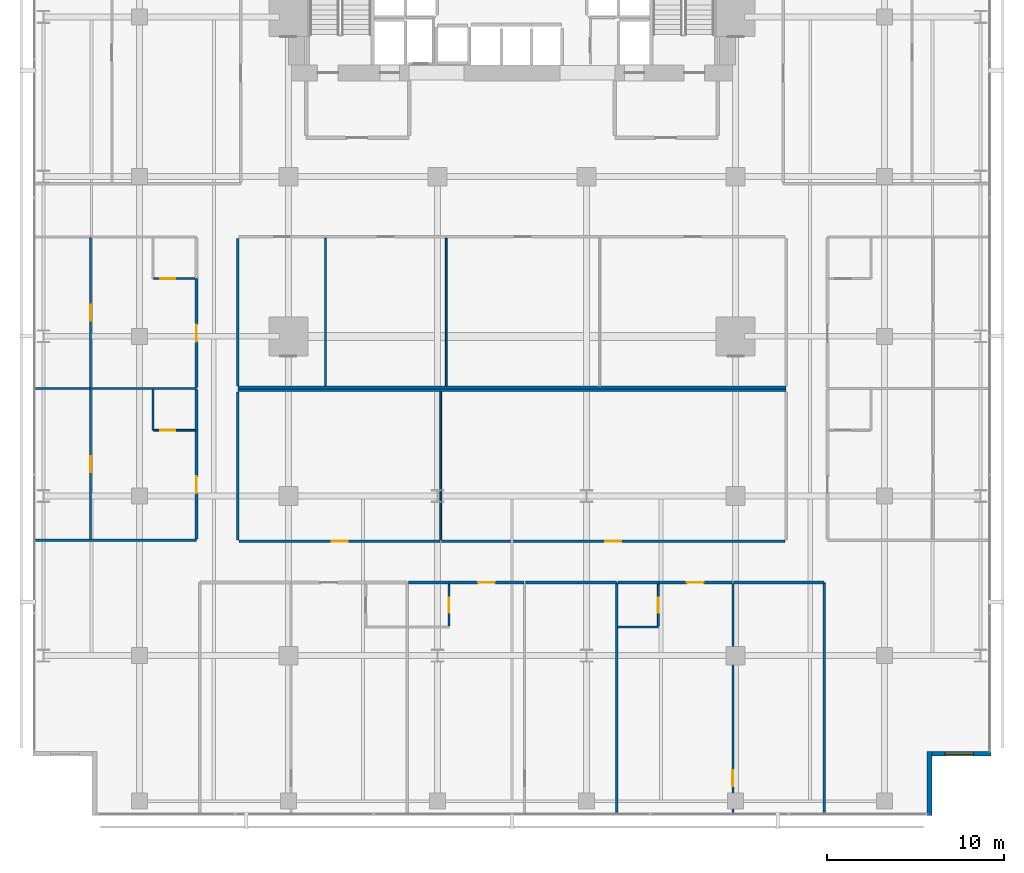
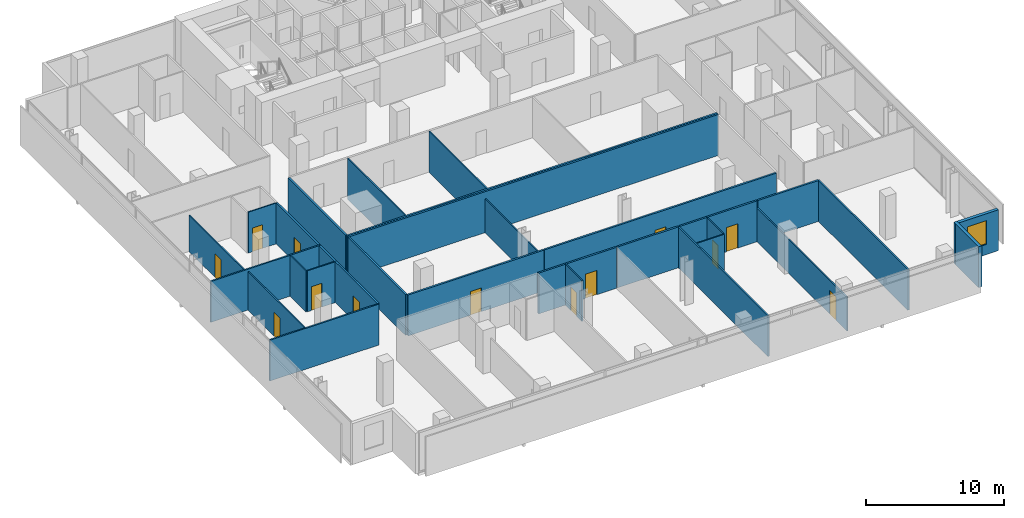
# One storey, part 33 of 39: 33 walls, 13 doors, 1 window, 14 openings.
"""IFC4 building model written with IfcOpenShell, lengths in metres."""

from ifc_helpers import new_model, si_unit, direction, frame, frame_2d, origin, place, context, subcontext, project, spatial, rectangle, extrude, material, layer, layer_set, type_object, element, fill, save


model = new_model("IFC4")

# Units and contexts
model_context = context("Model", 3, precision=1e-05, world=origin(), true_north=direction((0.0, 1.0)))
body_context = subcontext(model_context, "Body", "Model", "MODEL_VIEW")
ifc_project = project(units=[si_unit("LENGTHUNIT", "METRE"), si_unit("AREAUNIT", "SQUARE_METRE"), si_unit("VOLUMEUNIT", "CUBIC_METRE"), si_unit("PLANEANGLEUNIT", "RADIAN"), si_unit("MASSUNIT", "GRAM", prefix="KILO")], contexts=[model_context])

# Site, building, storey
site_placement = place(None, origin())
site = spatial("IfcSite", under=ifc_project, at=site_placement, CompositionType="ELEMENT")
building_placement = place(site_placement, origin())
building = spatial("IfcBuilding", under=site, at=building_placement, Name="Maruvema Waterfront Hotel and Observation Tower", CompositionType="ELEMENT")
storey_placement = place(building_placement, frame((0.0, 0.0, 69.300048828125)))
storey = spatial("IfcBuildingStorey", under=building, at=storey_placement, Name="L16", CompositionType="ELEMENT", Elevation=69.300048828125)

# Walls
ifc_material_1 = material(Name="Twin-stud acoustic gypsum drywall", Category="gypsum")
ifc_layer_1 = layer(ifc_material_1, 0.14990234375, Name="Acoustic Corridor and Suite Demising Wall 150 mm")
ifc_layer_set_1 = layer_set([ifc_layer_1], Name="Twin-stud acoustic gypsum drywall")
wall_type_1 = type_object("IfcWallType", Name="Acoustic Corridor and Suite Demising Wall 150 mm", PredefinedType="PARTITIONING", material=ifc_layer_set_1)
wall_1_placement = place(storey_placement, frame((22.35009765625, 24.110107421875, 0.0), z_axis=(0.0, 0.0, 1.0), x_axis=(1.0, 0.0, 0.0)))
element("IfcWall", 1, at=wall_1_placement, inside=storey, type_object=wall_type_1, Name="L16 L16-INTN Back Wall 012", PredefinedType="PARTITIONING", context=body_context, shape_type="SweptSolid", body=[
    extrude(rectangle(XDim=30.89990234375, YDim=0.14990234375, at=frame_2d((15.449951171875, 0.0))), origin(), (0.0, 0.0, 1.0), 3.60986328125),
])
wall_2_placement = place(storey_placement, frame((22.35009765625, 24.18994140625, 0.0), z_axis=(0.0, 0.0, 1.0), x_axis=(0.0, 1.0, 0.0)))
element("IfcWall", 2, at=wall_2_placement, inside=storey, type_object=wall_type_1, Name="L16 L16-INTN West Wall 013", PredefinedType="PARTITIONING", context=body_context, shape_type="SweptSolid", body=[
    extrude(rectangle(XDim=8.330078125, YDim=0.14990234375, at=frame_2d((4.1650390625, 0.0))), origin(), (0.0, 0.0, 1.0), 3.60986328125),
])
wall_3_placement = place(storey_placement, frame((22.35009765625, 23.949951171875, 0.0), z_axis=(0.0, 0.0, 1.0), x_axis=(1.0, 0.0, 0.0)))
element("IfcWall", 3, at=wall_3_placement, inside=storey, type_object=wall_type_1, Name="L16 L16-INTS Back Wall 022", PredefinedType="PARTITIONING", context=body_context, shape_type="SweptSolid", body=[
    extrude(rectangle(XDim=30.89990234375, YDim=0.14990234375, at=frame_2d((15.449951171875, 0.0))), origin(), (0.0, 0.0, 1.0), 3.60986328125),
])
wall_4_placement = place(storey_placement, frame((22.35009765625, 15.530029296875, 0.0), z_axis=(0.0, 0.0, 1.0), x_axis=(0.0, 1.0, 0.0)))
element("IfcWall", 4, at=wall_4_placement, inside=storey, type_object=wall_type_1, Name="L16 L16-INTS West Wall 023", PredefinedType="PARTITIONING", context=body_context, shape_type="SweptSolid", body=[
    extrude(rectangle(XDim=8.340087890625, YDim=0.14990234375, at=frame_2d((4.169921875, 0.0))), origin(), (0.0, 0.0, 1.0), 3.60986328125),
])

# Wall, opening, door
wall_5_placement = place(storey_placement, frame((22.409912109375, 15.449951171875, 0.0), z_axis=(0.0, 0.0, 1.0), x_axis=(1.0, 0.0, 0.0)))
wall_5 = element("IfcWall", 5, at=wall_5_placement, inside=storey, type_object=wall_type_1, Name="L16 L16-INTS Front 1 025", PredefinedType="PARTITIONING", context=body_context, shape_type="SweptSolid", body=[
    extrude(rectangle(XDim=11.343017578125, YDim=0.14990234375, at=frame_2d((5.67138671875, 0.0))), origin(), (0.0, 0.0, 1.0), 3.60986328125),
])
opening_1_placement = place(wall_5_placement, frame((5.221435546875, 0.0, 0.0)))
opening_1 = element("IfcOpeningElement", 6, at=opening_1_placement, cuts=wall_5, Name="Opening DR-090", PredefinedType="OPENING", context=body_context, shape_type="SweptSolid", body=[
    extrude(rectangle(XDim=0.89990234375, YDim=2.10009765625, at=frame_2d((0.449951171875, 1.050048828125))), frame((0.0, 0.0849609375, 0.0), z_axis=(0.0, -1.0, 0.0), x_axis=(1.0, 0.0, 0.0)), (0.0, 0.0, 1.0), 0.169921875),
])
ifc_material_2 = material(Name="Solid-core lacquered timber leaf", Category="wood")
door_type_1 = type_object("IfcDoorType", Name="Accessible Toilet and Room Door 900x2100 mm", OperationType="NOTDEFINED", PredefinedType="DOOR", material=ifc_material_2)
door_1_placement = place(opening_1_placement, frame((0.89990234375, 0.0, 0.0), z_axis=(0.0, 0.0, 1.0), x_axis=(-1.0, 0.0, 0.0)))
door_1 = element("IfcDoor", 7, at=door_1_placement, inside=storey, type_object=door_type_1, Name="L16 Diplomatic Salon Door", OperationType="SINGLE_SWING_LEFT", OverallHeight=2.10009765625, OverallWidth=0.89990234375, PredefinedType="DOOR", context=body_context, shape_type="SweptSolid", body=[
    extrude(rectangle(XDim=0.89990234375, YDim=2.10009765625, at=frame_2d((0.449951171875, 1.050048828125))), frame((0.0, 0.02490234375, 0.0), z_axis=(0.0, -1.0, 0.0), x_axis=(1.0, 0.0, 0.0)), (0.0, 0.0, 1.0), 0.050048828125),
])
fill(opening_1, door_1)

wall_6_placement = place(storey_placement, frame((33.81298828125, 15.449951171875, 0.0), z_axis=(0.0, 0.0, 1.0), x_axis=(1.0, 0.0, 0.0)))
wall_6 = element("IfcWall", 8, at=wall_6_placement, inside=storey, type_object=wall_type_1, Name="L16 L16-INTS Front 2 027", PredefinedType="PARTITIONING", context=body_context, shape_type="SweptSolid", body=[
    extrude(rectangle(XDim=19.376953125, YDim=0.14990234375, at=frame_2d((9.6884765625, 0.0))), origin(), (0.0, 0.0, 1.0), 3.60986328125),
])
opening_2_placement = place(wall_6_placement, frame((9.238525390625, 0.0, 0.0)))
opening_2 = element("IfcOpeningElement", 9, at=opening_2_placement, cuts=wall_6, Name="Opening DR-090", PredefinedType="OPENING", context=body_context, shape_type="SweptSolid", body=[
    extrude(rectangle(XDim=0.89990234375, YDim=2.10009765625, at=frame_2d((0.449951171875, 1.050048828125))), frame((0.0, 0.0849609375, 0.0), z_axis=(0.0, -1.0, 0.0), x_axis=(1.0, 0.0, 0.0)), (0.0, 0.0, 1.0), 0.169921875),
])
door_2_placement = place(opening_2_placement, frame((0.89990234375, 0.0, 0.0), z_axis=(0.0, 0.0, 1.0), x_axis=(-1.0, 0.0, 0.0)))
door_2 = element("IfcDoor", 10, at=door_2_placement, inside=storey, type_object=door_type_1, Name="L16 Diplomatic Conference Room Door", OperationType="SINGLE_SWING_RIGHT", OverallHeight=2.10009765625, OverallWidth=0.89990234375, PredefinedType="DOOR", context=body_context, shape_type="SweptSolid", body=[
    extrude(rectangle(XDim=0.89990234375, YDim=2.10009765625, at=frame_2d((0.449951171875, 1.050048828125))), frame((0.0, 0.02490234375, 0.0), z_axis=(0.0, -1.0, 0.0), x_axis=(1.0, 0.0, 0.0)), (0.0, 0.0, 1.0), 0.050048828125),
])
fill(opening_2, door_2)

# Wall
wall_7_placement = place(storey_placement, frame((31.97998046875, 13.1201171875, 0.0), z_axis=(0.0, 0.0, 1.0), x_axis=(1.0, 0.0, 0.0)))
element("IfcWall", 11, at=wall_7_placement, inside=storey, type_object=wall_type_1, Name="L16 Bath L16-S2 Back Wall 037", PredefinedType="PARTITIONING", context=body_context, shape_type="SweptSolid", body=[
    extrude(rectangle(XDim=2.27001953125, YDim=0.14990234375, at=frame_2d((1.135009765625, 0.0))), origin(), (0.0, 0.0, 1.0), 3.60986328125),
])

# Wall, opening, door
wall_8_placement = place(storey_placement, frame((34.25, 13.1201171875, 0.0), z_axis=(0.0, 0.0, 1.0), x_axis=(1.0, 0.0, 0.0)))
wall_8 = element("IfcWall", 12, at=wall_8_placement, inside=storey, type_object=wall_type_1, Name="L16 Unit L16-S2 Corridor Wall 040", PredefinedType="PARTITIONING", context=body_context, shape_type="SweptSolid", body=[
    extrude(rectangle(XDim=4.218017578125, YDim=0.14990234375, at=frame_2d((2.10888671875, 0.0))), origin(), (0.0, 0.0, 1.0), 3.60986328125),
])
opening_3_placement = place(wall_8_placement, frame((1.634033203125, 0.0, 0.0)))
opening_3 = element("IfcOpeningElement", 13, at=opening_3_placement, cuts=wall_8, Name="Opening DR-095", PredefinedType="OPENING", context=body_context, shape_type="SweptSolid", body=[
    extrude(rectangle(XDim=0.949951171875, YDim=2.14990234375, at=frame_2d((0.47509765625, 1.074951171875))), frame((0.0, 0.0849609375, 0.0), z_axis=(0.0, -1.0, 0.0), x_axis=(1.0, 0.0, 0.0)), (0.0, 0.0, 1.0), 0.169921875),
])
ifc_material_3 = material(Name="Acoustic solid-core hardwood timber leaf", Category="wood")
door_type_2 = type_object("IfcDoorType", Name="Guestroom Entrance Fire Door 950x2150 mm", OperationType="NOTDEFINED", PredefinedType="DOOR", material=ifc_material_3)
door_3_placement = place(opening_3_placement, frame((0.949951171875, 0.0, 0.0), z_axis=(0.0, 0.0, 1.0), x_axis=(-1.0, 0.0, 0.0)))
door_3 = element("IfcDoor", 14, at=door_3_placement, inside=storey, type_object=door_type_2, Name="L16 Unit L16-S2 Entrance Door", OperationType="SINGLE_SWING_LEFT", OverallHeight=2.14990234375, OverallWidth=0.949951171875, PredefinedType="DOOR", context=body_context, shape_type="SweptSolid", body=[
    extrude(rectangle(XDim=0.949951171875, YDim=2.14990234375, at=frame_2d((0.47509765625, 1.074951171875))), frame((0.0, 0.02490234375, 0.0), z_axis=(0.0, -1.0, 0.0), x_axis=(1.0, 0.0, 0.0)), (0.0, 0.0, 1.0), 0.050048828125),
])
fill(opening_3, door_3)

# Walls
wall_9_placement = place(storey_placement, frame((38.548095703125, 13.1201171875, 0.0), z_axis=(0.0, 0.0, 1.0), x_axis=(1.0, 0.0, 0.0)))
element("IfcWall", 15, at=wall_9_placement, inside=storey, type_object=wall_type_1, Name="L16 Bedroom L16-S2 Back Wall 041", PredefinedType="PARTITIONING", context=body_context, shape_type="SweptSolid", body=[
    extrude(rectangle(XDim=5.1318359375, YDim=0.14990234375, at=frame_2d((2.56591796875, 0.0))), origin(), (0.0, 0.0, 1.0), 3.60986328125),
])
wall_10_placement = place(storey_placement, frame((43.780029296875, 13.1201171875, 0.0), z_axis=(0.0, 0.0, 1.0), x_axis=(1.0, 0.0, 0.0)))
element("IfcWall", 16, at=wall_10_placement, inside=storey, type_object=wall_type_1, Name="L16 Bath L16-S3 Back Wall 044", PredefinedType="PARTITIONING", context=body_context, shape_type="SweptSolid", body=[
    extrude(rectangle(XDim=2.27001953125, YDim=0.14990234375, at=frame_2d((1.135009765625, 0.0))), origin(), (0.0, 0.0, 1.0), 3.60986328125),
])

# Wall, opening, door
wall_11_placement = place(storey_placement, frame((46.050048828125, 13.1201171875, 0.0), z_axis=(0.0, 0.0, 1.0), x_axis=(1.0, 0.0, 0.0)))
wall_11 = element("IfcWall", 17, at=wall_11_placement, inside=storey, type_object=wall_type_1, Name="L16 Unit L16-S3 Corridor Wall 047", PredefinedType="PARTITIONING", context=body_context, shape_type="SweptSolid", body=[
    extrude(rectangle(XDim=4.161865234375, YDim=0.14990234375, at=frame_2d((2.0810546875, 0.0))), origin(), (0.0, 0.0, 1.0), 3.60986328125),
])
opening_4_placement = place(wall_11_placement, frame((1.60595703125, 0.0, 0.0)))
opening_4 = element("IfcOpeningElement", 18, at=opening_4_placement, cuts=wall_11, Name="Opening DR-095", PredefinedType="OPENING", context=body_context, shape_type="SweptSolid", body=[
    extrude(rectangle(XDim=0.949951171875, YDim=2.14990234375, at=frame_2d((0.47509765625, 1.074951171875))), frame((0.0, 0.0849609375, 0.0), z_axis=(0.0, -1.0, 0.0), x_axis=(1.0, 0.0, 0.0)), (0.0, 0.0, 1.0), 0.169921875),
])
door_4_placement = place(opening_4_placement, frame((0.949951171875, 0.0, 0.0), z_axis=(0.0, 0.0, 1.0), x_axis=(-1.0, 0.0, 0.0)))
door_4 = element("IfcDoor", 19, at=door_4_placement, inside=storey, type_object=door_type_2, Name="L16 Unit L16-S3 Entrance Door", OperationType="SINGLE_SWING_RIGHT", OverallHeight=2.14990234375, OverallWidth=0.949951171875, PredefinedType="DOOR", context=body_context, shape_type="SweptSolid", body=[
    extrude(rectangle(XDim=0.949951171875, YDim=2.14990234375, at=frame_2d((0.47509765625, 1.074951171875))), frame((0.0, 0.02490234375, 0.0), z_axis=(0.0, -1.0, 0.0), x_axis=(1.0, 0.0, 0.0)), (0.0, 0.0, 1.0), 0.050048828125),
])
fill(opening_4, door_4)

# Wall
wall_12_placement = place(storey_placement, frame((50.2919921875, 13.1201171875, 0.0), z_axis=(0.0, 0.0, 1.0), x_axis=(1.0, 0.0, 0.0)))
element("IfcWall", 20, at=wall_12_placement, inside=storey, type_object=wall_type_1, Name="L16 Bedroom L16-S3 Back Wall 048", PredefinedType="PARTITIONING", context=body_context, shape_type="SweptSolid", body=[
    extrude(rectangle(XDim=5.087890625, YDim=0.14990234375, at=frame_2d((2.5439453125, 0.0))), origin(), (0.0, 0.0, 1.0), 3.60986328125),
])

# Wall, opening, door
wall_13_placement = place(storey_placement, frame((20.02001953125, 15.56005859375, 0.0), z_axis=(0.0, 0.0, 1.0), x_axis=(0.0, 1.0, 0.0)))
wall_13 = element("IfcWall", 21, at=wall_13_placement, inside=storey, type_object=wall_type_1, Name="L16 Room L16-W1 Corridor Wall 054", PredefinedType="PARTITIONING", context=body_context, shape_type="SweptSolid", body=[
    extrude(rectangle(XDim=6.139892578125, YDim=0.14990234375, at=frame_2d((3.06982421875, 0.0))), origin(), (0.0, 0.0, 1.0), 3.60986328125),
])
opening_5_placement = place(wall_13_placement, frame((2.594970703125, 0.0, 0.0)))
opening_5 = element("IfcOpeningElement", 22, at=opening_5_placement, cuts=wall_13, Name="Opening DR-095", PredefinedType="OPENING", context=body_context, shape_type="SweptSolid", body=[
    extrude(rectangle(XDim=0.949951171875, YDim=2.14990234375, at=frame_2d((0.47509765625, 1.074951171875))), frame((0.0, 0.0849609375, 0.0), z_axis=(0.0, -1.0, 0.0), x_axis=(1.0, 0.0, 0.0)), (0.0, 0.0, 1.0), 0.169921875),
])
door_5_placement = place(opening_5_placement, origin())
door_5 = element("IfcDoor", 23, at=door_5_placement, inside=storey, type_object=door_type_2, Name="L16 Room L16-W1 Entrance Door", OperationType="SINGLE_SWING_LEFT", OverallHeight=2.14990234375, OverallWidth=0.949951171875, PredefinedType="DOOR", context=body_context, shape_type="SweptSolid", body=[
    extrude(rectangle(XDim=0.949951171875, YDim=2.14990234375, at=frame_2d((0.47509765625, 1.074951171875))), frame((0.0, 0.02490234375, 0.0), z_axis=(0.0, -1.0, 0.0), x_axis=(1.0, 0.0, 0.0)), (0.0, 0.0, 1.0), 0.050048828125),
])
fill(opening_5, door_5)

# Wall
wall_14_placement = place(storey_placement, frame((20.02001953125, 21.699951171875, 0.0), z_axis=(0.0, 0.0, 1.0), x_axis=(0.0, 1.0, 0.0)))
element("IfcWall", 24, at=wall_14_placement, inside=storey, type_object=wall_type_1, Name="L16 Bath L16-W1 Wall 055", PredefinedType="PARTITIONING", context=body_context, shape_type="SweptSolid", body=[
    extrude(rectangle(XDim=2.2900390625, YDim=0.14990234375, at=frame_2d((1.14501953125, 0.0))), origin(), (0.0, 0.0, 1.0), 3.60986328125),
])

# Wall, opening, door
wall_15_placement = place(storey_placement, frame((20.02001953125, 24.110107421875, 0.0), z_axis=(0.0, 0.0, 1.0), x_axis=(0.0, 1.0, 0.0)))
wall_15 = element("IfcWall", 25, at=wall_15_placement, inside=storey, type_object=wall_type_1, Name="L16 Room L16-W2 Corridor Wall 066", PredefinedType="PARTITIONING", context=body_context, shape_type="SweptSolid", body=[
    extrude(rectangle(XDim=6.139892578125, YDim=0.14990234375, at=frame_2d((3.06982421875, 0.0))), origin(), (0.0, 0.0, 1.0), 3.60986328125),
])
opening_6_placement = place(wall_15_placement, frame((2.594970703125, 0.0, 0.0)))
opening_6 = element("IfcOpeningElement", 26, at=opening_6_placement, cuts=wall_15, Name="Opening DR-095", PredefinedType="OPENING", context=body_context, shape_type="SweptSolid", body=[
    extrude(rectangle(XDim=0.949951171875, YDim=2.14990234375, at=frame_2d((0.47509765625, 1.074951171875))), frame((0.0, 0.0849609375, 0.0), z_axis=(0.0, -1.0, 0.0), x_axis=(1.0, 0.0, 0.0)), (0.0, 0.0, 1.0), 0.169921875),
])
door_6_placement = place(opening_6_placement, origin())
door_6 = element("IfcDoor", 27, at=door_6_placement, inside=storey, type_object=door_type_2, Name="L16 Room L16-W2 Entrance Door", OperationType="SINGLE_SWING_LEFT", OverallHeight=2.14990234375, OverallWidth=0.949951171875, PredefinedType="DOOR", context=body_context, shape_type="SweptSolid", body=[
    extrude(rectangle(XDim=0.949951171875, YDim=2.14990234375, at=frame_2d((0.47509765625, 1.074951171875))), frame((0.0, 0.02490234375, 0.0), z_axis=(0.0, -1.0, 0.0), x_axis=(1.0, 0.0, 0.0)), (0.0, 0.0, 1.0), 0.050048828125),
])
fill(opening_6, door_6)

# Walls
ifc_material_4 = material(Name="Moisture-resistant cement-board drywall", Category="gypsum")
ifc_layer_2 = layer(ifc_material_4, 0.10009765625, Name="En-Suite Moisture-Resistant Partition 100 mm")
ifc_layer_set_2 = layer_set([ifc_layer_2], Name="Moisture-resistant cement-board drywall")
wall_type_2 = type_object("IfcWallType", Name="En-Suite Moisture-Resistant Partition 100 mm", PredefinedType="PARTITIONING", material=ifc_layer_set_2)
for number, where, z_axis, x_axis, name in (
    (28, (27.2939453125, 24.18994140625, 0.0), (0.0, 0.0, 1.0), (0.0, 1.0, 0.0), "L16 L16-INTN Split 1 016"),
    (29, (34.092041015625, 24.18994140625, 0.0), (0.0, 0.0, 1.0), (0.0, 1.0, 0.0), "L16 L16-INTN Split 2 018"),
):
    element("IfcWall", number, at=place(storey_placement, frame(where, z_axis=z_axis, x_axis=x_axis)), inside=storey, type_object=wall_type_2, Name=name, PredefinedType="PARTITIONING", context=body_context, shape_type="SweptSolid", body=[
        extrude(rectangle(XDim=8.330078125, YDim=0.10009765625, at=frame_2d((4.1650390625, 0.0))), origin(), (0.0, 0.0, 1.0), 3.60986328125),
    ])
wall_16_placement = place(storey_placement, frame((33.782958984375, 15.530029296875, 0.0), z_axis=(0.0, 0.0, 1.0), x_axis=(0.0, 1.0, 0.0)))
element("IfcWall", 30, at=wall_16_placement, inside=storey, type_object=wall_type_2, Name="L16 L16-INTS Split 1 026", PredefinedType="PARTITIONING", context=body_context, shape_type="SweptSolid", body=[
    extrude(rectangle(XDim=8.340087890625, YDim=0.10009765625, at=frame_2d((4.169921875, 0.0))), origin(), (0.0, 0.0, 1.0), 2.988037109375),
])

# Wall, opening, door
wall_17_placement = place(storey_placement, frame((34.25, 10.679931640625, 0.0), z_axis=(0.0, 0.0, 1.0), x_axis=(0.0, 1.0, 0.0)))
wall_17 = element("IfcWall", 31, at=wall_17_placement, inside=storey, type_object=wall_type_2, Name="L16 En-Suite L16-S2 East 039", PredefinedType="PARTITIONING", context=body_context, shape_type="SweptSolid", body=[
    extrude(rectangle(XDim=2.340087890625, YDim=0.10009765625, at=frame_2d((1.169921875, 0.0))), origin(), (0.0, 0.0, 1.0), 3.60986328125),
])
opening_7_placement = place(wall_17_placement, frame((0.7451171875, 0.0, 0.0)))
opening_7 = element("IfcOpeningElement", 32, at=opening_7_placement, cuts=wall_17, Name="Opening DR-085", PredefinedType="OPENING", context=body_context, shape_type="SweptSolid", body=[
    extrude(rectangle(XDim=0.85009765625, YDim=2.10009765625, at=frame_2d((0.425048828125, 1.050048828125))), frame((0.0, 0.06005859375, 0.0), z_axis=(0.0, -1.0, 0.0), x_axis=(1.0, 0.0, 0.0)), (0.0, 0.0, 1.0), 0.1201171875),
])
ifc_material_5 = material(Name="Moisture-resistant solid timber leaf", Category="wood")
door_type_3 = type_object("IfcDoorType", Name="En-Suite Bathroom Door 850x2100 mm", OperationType="NOTDEFINED", PredefinedType="DOOR", material=ifc_material_5)
door_7_placement = place(opening_7_placement, frame((0.85009765625, 0.0, 0.0), z_axis=(0.0, 0.0, 1.0), x_axis=(-1.0, 0.0, 0.0)))
door_7 = element("IfcDoor", 33, at=door_7_placement, inside=storey, type_object=door_type_3, Name="L16 En-Suite L16-S2 Door", OperationType="SINGLE_SWING_RIGHT", OverallHeight=2.10009765625, OverallWidth=0.85009765625, PredefinedType="DOOR", context=body_context, shape_type="SweptSolid", body=[
    extrude(rectangle(XDim=0.85009765625, YDim=2.10009765625, at=frame_2d((0.425048828125, 1.050048828125))), frame((0.0, 0.02490234375, 0.0), z_axis=(0.0, -1.0, 0.0), x_axis=(1.0, 0.0, 0.0)), (0.0, 0.0, 1.0), 0.050048828125),
])
fill(opening_7, door_7)

# Wall
wall_18_placement = place(storey_placement, frame((43.780029296875, 10.6201171875, 0.0), z_axis=(0.0, 0.0, 1.0), x_axis=(1.0, 0.0, 0.0)))
element("IfcWall", 34, at=wall_18_placement, inside=storey, type_object=wall_type_2, Name="L16 En-Suite L16-S3 South 045", PredefinedType="PARTITIONING", context=body_context, shape_type="SweptSolid", body=[
    extrude(rectangle(XDim=2.27001953125, YDim=0.10009765625, at=frame_2d((1.135009765625, 0.0))), origin(), (0.0, 0.0, 1.0), 3.60986328125),
])

# Wall, opening, door
wall_19_placement = place(storey_placement, frame((46.050048828125, 10.679931640625, 0.0), z_axis=(0.0, 0.0, 1.0), x_axis=(0.0, 1.0, 0.0)))
wall_19 = element("IfcWall", 35, at=wall_19_placement, inside=storey, type_object=wall_type_2, Name="L16 En-Suite L16-S3 East 046", PredefinedType="PARTITIONING", context=body_context, shape_type="SweptSolid", body=[
    extrude(rectangle(XDim=2.340087890625, YDim=0.10009765625, at=frame_2d((1.169921875, 0.0))), origin(), (0.0, 0.0, 1.0), 3.60986328125),
])
opening_8_placement = place(wall_19_placement, frame((0.7451171875, 0.0, 0.0)))
opening_8 = element("IfcOpeningElement", 36, at=opening_8_placement, cuts=wall_19, Name="Opening DR-085", PredefinedType="OPENING", context=body_context, shape_type="SweptSolid", body=[
    extrude(rectangle(XDim=0.85009765625, YDim=2.10009765625, at=frame_2d((0.425048828125, 1.050048828125))), frame((0.0, 0.06005859375, 0.0), z_axis=(0.0, -1.0, 0.0), x_axis=(1.0, 0.0, 0.0)), (0.0, 0.0, 1.0), 0.1201171875),
])
door_8_placement = place(opening_8_placement, frame((0.85009765625, 0.0, 0.0), z_axis=(0.0, 0.0, 1.0), x_axis=(-1.0, 0.0, 0.0)))
door_8 = element("IfcDoor", 37, at=door_8_placement, inside=storey, type_object=door_type_3, Name="L16 En-Suite L16-S3 Door", OperationType="SINGLE_SWING_LEFT", OverallHeight=2.10009765625, OverallWidth=0.85009765625, PredefinedType="DOOR", context=body_context, shape_type="SweptSolid", body=[
    extrude(rectangle(XDim=0.85009765625, YDim=2.10009765625, at=frame_2d((0.425048828125, 1.050048828125))), frame((0.0, 0.02490234375, 0.0), z_axis=(0.0, -1.0, 0.0), x_axis=(1.0, 0.0, 0.0)), (0.0, 0.0, 1.0), 0.050048828125),
])
fill(opening_8, door_8)

wall_20_placement = place(storey_placement, frame((50.251953125, 0.030029296875, 0.0), z_axis=(0.0, 0.0, 1.0), x_axis=(0.0, 1.0, 0.0)))
wall_20 = element("IfcWall", 38, at=wall_20_placement, inside=storey, type_object=wall_type_2, Name="L16 Suite L16-S3 Split 049", PredefinedType="PARTITIONING", context=body_context, shape_type="SweptSolid", body=[
    extrude(rectangle(XDim=13.030029296875, YDim=0.10009765625, at=frame_2d((6.51513671875, 0.0))), origin(), (0.0, 0.0, 1.0), 2.988037109375),
])
opening_9_placement = place(wall_20_placement, frame((1.60009765625, 0.0, 0.0)))
opening_9 = element("IfcOpeningElement", 39, at=opening_9_placement, cuts=wall_20, Name="Opening DR-090", PredefinedType="OPENING", context=body_context, shape_type="SweptSolid", body=[
    extrude(rectangle(XDim=0.89990234375, YDim=2.10009765625, at=frame_2d((0.449951171875, 1.050048828125))), frame((0.0, 0.06005859375, 0.0), z_axis=(0.0, -1.0, 0.0), x_axis=(1.0, 0.0, 0.0)), (0.0, 0.0, 1.0), 0.1201171875),
])
door_9_placement = place(opening_9_placement, origin())
door_9 = element("IfcDoor", 40, at=door_9_placement, inside=storey, type_object=door_type_1, Name="L16 Suite L16-S3 Bedroom Door", OperationType="SINGLE_SWING_LEFT", OverallHeight=2.10009765625, OverallWidth=0.89990234375, PredefinedType="DOOR", context=body_context, shape_type="SweptSolid", body=[
    extrude(rectangle(XDim=0.89990234375, YDim=2.10009765625, at=frame_2d((0.449951171875, 1.050048828125))), frame((0.0, 0.02490234375, 0.0), z_axis=(0.0, -1.0, 0.0), x_axis=(1.0, 0.0, 0.0)), (0.0, 0.0, 1.0), 0.050048828125),
])
fill(opening_9, door_9)

# Wall
wall_21_placement = place(storey_placement, frame((17.570068359375, 21.699951171875, 0.0), z_axis=(0.0, 0.0, 1.0), x_axis=(0.0, 1.0, 0.0)))
element("IfcWall", 41, at=wall_21_placement, inside=storey, type_object=wall_type_2, Name="L16 En-Suite L16-W1 W 056", PredefinedType="PARTITIONING", context=body_context, shape_type="SweptSolid", body=[
    extrude(rectangle(XDim=2.2900390625, YDim=0.10009765625, at=frame_2d((1.14501953125, 0.0))), origin(), (0.0, 0.0, 1.0), 3.60986328125),
])

# Wall, opening, door
wall_22_placement = place(storey_placement, frame((17.6201171875, 21.699951171875, 0.0), z_axis=(0.0, 0.0, 1.0), x_axis=(1.0, 0.0, 0.0)))
wall_22 = element("IfcWall", 42, at=wall_22_placement, inside=storey, type_object=wall_type_2, Name="L16 En-Suite L16-W1 S 057", PredefinedType="PARTITIONING", context=body_context, shape_type="SweptSolid", body=[
    extrude(rectangle(XDim=2.2998046875, YDim=0.10009765625, at=frame_2d((1.14990234375, 0.0))), origin(), (0.0, 0.0, 1.0), 3.60986328125),
])
opening_10_placement = place(wall_22_placement, frame((0.35009765625, 0.0, 0.0)))
opening_10 = element("IfcOpeningElement", 43, at=opening_10_placement, cuts=wall_22, Name="Opening DR-085", PredefinedType="OPENING", context=body_context, shape_type="SweptSolid", body=[
    extrude(rectangle(XDim=0.85009765625, YDim=2.10009765625, at=frame_2d((0.425048828125, 1.050048828125))), frame((0.0, 0.06005859375, 0.0), z_axis=(0.0, -1.0, 0.0), x_axis=(1.0, 0.0, 0.0)), (0.0, 0.0, 1.0), 0.1201171875),
])
door_10_placement = place(opening_10_placement, frame((0.85009765625, 0.0, 0.0), z_axis=(0.0, 0.0, 1.0), x_axis=(-1.0, 0.0, 0.0)))
door_10 = element("IfcDoor", 44, at=door_10_placement, inside=storey, type_object=door_type_3, Name="L16 En-Suite L16-W1 Door", OperationType="SINGLE_SWING_RIGHT", OverallHeight=2.10009765625, OverallWidth=0.85009765625, PredefinedType="DOOR", context=body_context, shape_type="SweptSolid", body=[
    extrude(rectangle(XDim=0.85009765625, YDim=2.10009765625, at=frame_2d((0.425048828125, 1.050048828125))), frame((0.0, 0.02490234375, 0.0), z_axis=(0.0, -1.0, 0.0), x_axis=(1.0, 0.0, 0.0)), (0.0, 0.0, 1.0), 0.050048828125),
])
fill(opening_10, door_10)

wall_23_placement = place(storey_placement, frame((14.049560546875, 15.56005859375, 0.0), z_axis=(0.0, 0.0, 1.0), x_axis=(0.0, 1.0, 0.0)))
wall_23 = element("IfcWall", 45, at=wall_23_placement, inside=storey, type_object=wall_type_2, Name="L16 Suite L16-W1 Split 058", PredefinedType="PARTITIONING", context=body_context, shape_type="SweptSolid", body=[
    extrude(rectangle(XDim=8.429931640625, YDim=0.10009765625, at=frame_2d((4.21484375, 0.0))), origin(), (0.0, 0.0, 1.0), 3.40283203125),
])
opening_11_placement = place(wall_23_placement, frame((3.764892578125, 0.0, 0.0)))
opening_11 = element("IfcOpeningElement", 46, at=opening_11_placement, cuts=wall_23, Name="Opening DR-090", PredefinedType="OPENING", context=body_context, shape_type="SweptSolid", body=[
    extrude(rectangle(XDim=0.89990234375, YDim=2.10009765625, at=frame_2d((0.449951171875, 1.050048828125))), frame((0.0, 0.06005859375, 0.0), z_axis=(0.0, -1.0, 0.0), x_axis=(1.0, 0.0, 0.0)), (0.0, 0.0, 1.0), 0.1201171875),
])
door_11_placement = place(opening_11_placement, origin())
door_11 = element("IfcDoor", 47, at=door_11_placement, inside=storey, type_object=door_type_1, Name="L16 Suite L16-W1 Bedroom Door", OperationType="SINGLE_SWING_RIGHT", OverallHeight=2.10009765625, OverallWidth=0.89990234375, PredefinedType="DOOR", context=body_context, shape_type="SweptSolid", body=[
    extrude(rectangle(XDim=0.89990234375, YDim=2.10009765625, at=frame_2d((0.449951171875, 1.050048828125))), frame((0.0, 0.02490234375, 0.0), z_axis=(0.0, -1.0, 0.0), x_axis=(1.0, 0.0, 0.0)), (0.0, 0.0, 1.0), 0.050048828125),
])
fill(opening_11, door_11)

wall_24_placement = place(storey_placement, frame((17.6201171875, 30.25, 0.0), z_axis=(0.0, 0.0, 1.0), x_axis=(1.0, 0.0, 0.0)))
wall_24 = element("IfcWall", 48, at=wall_24_placement, inside=storey, type_object=wall_type_2, Name="L16 En-Suite L16-W2 S 069", PredefinedType="PARTITIONING", context=body_context, shape_type="SweptSolid", body=[
    extrude(rectangle(XDim=2.2998046875, YDim=0.10009765625, at=frame_2d((1.14990234375, 0.0))), origin(), (0.0, 0.0, 1.0), 3.60986328125),
])
opening_12_placement = place(wall_24_placement, frame((0.35009765625, 0.0, 0.0)))
opening_12 = element("IfcOpeningElement", 49, at=opening_12_placement, cuts=wall_24, Name="Opening DR-085", PredefinedType="OPENING", context=body_context, shape_type="SweptSolid", body=[
    extrude(rectangle(XDim=0.85009765625, YDim=2.10009765625, at=frame_2d((0.425048828125, 1.050048828125))), frame((0.0, 0.06005859375, 0.0), z_axis=(0.0, -1.0, 0.0), x_axis=(1.0, 0.0, 0.0)), (0.0, 0.0, 1.0), 0.1201171875),
])
door_12_placement = place(opening_12_placement, frame((0.85009765625, 0.0, 0.0), z_axis=(0.0, 0.0, 1.0), x_axis=(-1.0, 0.0, 0.0)))
door_12 = element("IfcDoor", 50, at=door_12_placement, inside=storey, type_object=door_type_3, Name="L16 En-Suite L16-W2 Door", OperationType="SINGLE_SWING_RIGHT", OverallHeight=2.10009765625, OverallWidth=0.85009765625, PredefinedType="DOOR", context=body_context, shape_type="SweptSolid", body=[
    extrude(rectangle(XDim=0.85009765625, YDim=2.10009765625, at=frame_2d((0.425048828125, 1.050048828125))), frame((0.0, 0.02490234375, 0.0), z_axis=(0.0, -1.0, 0.0), x_axis=(1.0, 0.0, 0.0)), (0.0, 0.0, 1.0), 0.050048828125),
])
fill(opening_12, door_12)

wall_25_placement = place(storey_placement, frame((14.049560546875, 24.110107421875, 0.0), z_axis=(0.0, 0.0, 1.0), x_axis=(0.0, 1.0, 0.0)))
wall_25 = element("IfcWall", 51, at=wall_25_placement, inside=storey, type_object=wall_type_2, Name="L16 Suite L16-W2 Split 070", PredefinedType="PARTITIONING", context=body_context, shape_type="SweptSolid", body=[
    extrude(rectangle(XDim=8.429931640625, YDim=0.10009765625, at=frame_2d((4.21484375, 0.0))), origin(), (0.0, 0.0, 1.0), 3.20703125),
])
opening_13_placement = place(wall_25_placement, frame((3.764892578125, 0.0, 0.0)))
opening_13 = element("IfcOpeningElement", 52, at=opening_13_placement, cuts=wall_25, Name="Opening DR-090", PredefinedType="OPENING", context=body_context, shape_type="SweptSolid", body=[
    extrude(rectangle(XDim=0.89990234375, YDim=2.10009765625, at=frame_2d((0.449951171875, 1.050048828125))), frame((0.0, 0.06005859375, 0.0), z_axis=(0.0, -1.0, 0.0), x_axis=(1.0, 0.0, 0.0)), (0.0, 0.0, 1.0), 0.1201171875),
])
door_13_placement = place(opening_13_placement, origin())
door_13 = element("IfcDoor", 53, at=door_13_placement, inside=storey, type_object=door_type_1, Name="L16 Suite L16-W2 Bedroom Door", OperationType="SINGLE_SWING_RIGHT", OverallHeight=2.10009765625, OverallWidth=0.89990234375, PredefinedType="DOOR", context=body_context, shape_type="SweptSolid", body=[
    extrude(rectangle(XDim=0.89990234375, YDim=2.10009765625, at=frame_2d((0.449951171875, 1.050048828125))), frame((0.0, 0.02490234375, 0.0), z_axis=(0.0, -1.0, 0.0), x_axis=(1.0, 0.0, 0.0)), (0.0, 0.0, 1.0), 0.050048828125),
])
fill(opening_13, door_13)

# Wall
ifc_material_6 = material(Name="Precast concrete C45/55 with honed Pernambuco granite facing", Category="masonry")
ifc_layer_3 = layer(ifc_material_6, 0.260009765625, Name="Exterior Granite Clad Spandrel and Pier Wall 260 mm")
ifc_layer_set_3 = layer_set([ifc_layer_3], Name="Precast concrete C45/55 with honed Pernambuco granite facing")
wall_type_3 = type_object("IfcWallType", Name="Exterior Granite Clad Spandrel and Pier Wall 260 mm", PredefinedType="SOLIDWALL", material=ifc_layer_set_3)
wall_26_placement = place(storey_placement, frame((61.330078125, 3.60009765625, 0.0), z_axis=(0.0, 0.0, 1.0), x_axis=(0.0, -1.0, 0.0)))
element("IfcWall", 54, at=wall_26_placement, inside=storey, type_object=wall_type_3, Name="L16 Corner Notch Granite Pier Wall SE1", PredefinedType="SOLIDWALL", context=body_context, shape_type="SweptSolid", body=[
    extrude(rectangle(XDim=3.60009765625, YDim=0.260009765625, at=frame_2d((1.800048828125, 0.0))), origin(), (0.0, 0.0, 1.0), 3.60986328125),
])

# Wall, opening, window
wall_27_placement = place(storey_placement, frame((64.800048828125, 3.469970703125, 0.0), z_axis=(0.0, 0.0, 1.0), x_axis=(-1.0, 0.0, 0.0)))
wall_27 = element("IfcWall", 55, at=wall_27_placement, inside=storey, type_object=wall_type_3, Name="L16 Corner Notch Granite Pier Wall SE2", PredefinedType="SOLIDWALL", context=body_context, shape_type="SweptSolid", body=[
    extrude(rectangle(XDim=3.60009765625, YDim=0.260009765625, at=frame_2d((1.800048828125, 0.0))), origin(), (0.0, 0.0, 1.0), 3.60986328125),
])
opening_14_placement = place(wall_27_placement, frame((1.0, 0.0, 0.89990234375)))
opening_14 = element("IfcOpeningElement", 56, at=opening_14_placement, cuts=wall_27, Name="Opening WN-01", PredefinedType="OPENING", context=body_context, shape_type="SweptSolid", body=[
    extrude(rectangle(XDim=1.60009765625, YDim=2.10009765625, at=frame_2d((0.800048828125, 1.050048828125))), frame((0.0, 0.14013671875, 0.0), z_axis=(0.0, -1.0, 0.0), x_axis=(1.0, 0.0, 0.0)), (0.0, 0.0, 1.0), 0.280029296875),
])
ifc_material_7 = material(Name="Anodised bronze aluminium frame with laminated low-E glass", Category="aluminium")
window_type = type_object("IfcWindowType", Name="Corner Notch Feature Window 1600x2100 mm", PartitioningType="SINGLE_PANEL", PredefinedType="WINDOW", material=ifc_material_7)
window_placement = place(opening_14_placement, origin())
window = element("IfcWindow", 57, at=window_placement, inside=storey, type_object=window_type, Name="L16 Corner Notch Punched Window SE2", OverallHeight=2.10009765625, OverallWidth=1.60009765625, PartitioningType="SINGLE_PANEL", PredefinedType="WINDOW", context=body_context, shape_type="SweptSolid", body=[
    extrude(rectangle(XDim=1.60009765625, YDim=2.10009765625, at=frame_2d((0.800048828125, 1.050048828125))), frame((0.0, 0.030029296875, 0.0), z_axis=(0.0, -1.0, 0.0), x_axis=(1.0, 0.0, 0.0)), (0.0, 0.0, 1.0), 0.06005859375),
])
fill(opening_14, window)

# Walls
ifc_material_8 = material(Name="Acoustic gypsum plasterboard drywall", Category="gypsum")
ifc_layer_4 = layer(ifc_material_8, 0.125, Name="Guestroom Acoustic Demising Wall 125 mm")
ifc_layer_set_4 = layer_set([ifc_layer_4], Name="Acoustic gypsum plasterboard drywall")
wall_type_4 = type_object("IfcWallType", Name="Guestroom Acoustic Demising Wall 125 mm", PredefinedType="PARTITIONING", material=ifc_layer_set_4)
for number, where, z_axis, x_axis, name in (
    (58, (55.39990234375, 0.10009765625, 0.0), (0.0, 0.0, 1.0), (0.0, 1.0, 0.0), "L16 S East End 029"),
    (59, (43.699951171875, 0.10009765625, 0.0), (0.0, 0.0, 1.0), (0.0, 1.0, 0.0), "L16 S Demising 3 043"),
):
    element("IfcWall", number, at=place(storey_placement, frame(where, z_axis=z_axis, x_axis=x_axis)), inside=storey, type_object=wall_type_4, Name=name, PredefinedType="PARTITIONING", context=body_context, shape_type="SweptSolid", body=[
        extrude(rectangle(XDim=13.02001953125, YDim=0.125, at=frame_2d((6.510009765625, 0.0))), origin(), (0.0, 0.0, 1.0), 3.60986328125),
    ])
for number, where, z_axis, x_axis, name in (
    (60, (10.89990234375, 15.5, 0.0), (0.0, 0.0, 1.0), (1.0, 0.0, 0.0), "L16 W Bot End 050"),
    (61, (10.89990234375, 24.050048828125, 0.0), (0.0, 0.0, 1.0), (1.0, 0.0, 0.0), "L16 W Demising 2 064"),
):
    element("IfcWall", number, at=place(storey_placement, frame(where, z_axis=z_axis, x_axis=x_axis)), inside=storey, type_object=wall_type_4, Name=name, PredefinedType="PARTITIONING", context=body_context, shape_type="SweptSolid", body=[
        extrude(rectangle(XDim=9.1201171875, YDim=0.125, at=frame_2d((4.56005859375, 0.0))), origin(), (0.0, 0.0, 1.0), 3.60986328125),
    ])

save(model, "model.ifc")
